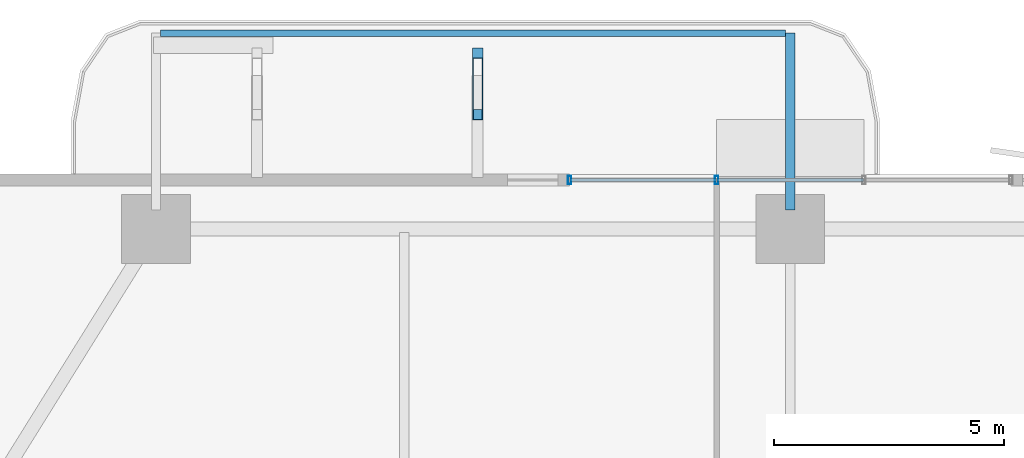
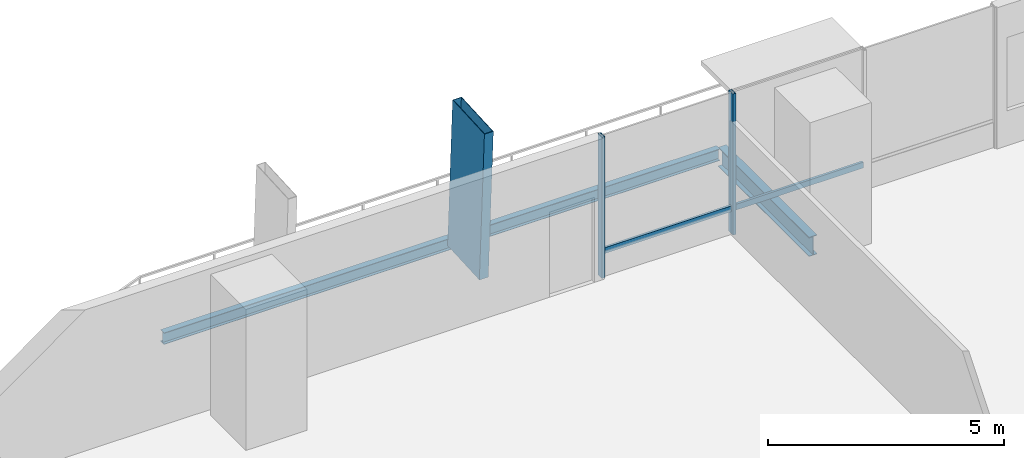
# One storey, part 11 of 23: 5 members, 2 beams, 1 element without a shape of its own.
"""IFC4 building model written with IfcOpenShell, lengths in metres."""

from ifc_helpers import new_model, si_unit, direction, frame, origin, origin_2d, place, context, subcontext, project, spatial, hollow_rectangle, i_section, extrude, material, layer, layer_set, material_profile, profile_set, type_object, element, aggregate, save


model = new_model("IFC4")

# Units and contexts
model_context = context("Model", 3, precision=1e-05, world=origin(), true_north=direction((0.0, 1.0)))
body_context = subcontext(model_context, "Body", "Model", "MODEL_VIEW")
ifc_project = project(units=[si_unit("LENGTHUNIT", "METRE"), si_unit("AREAUNIT", "SQUARE_METRE"), si_unit("VOLUMEUNIT", "CUBIC_METRE"), si_unit("PLANEANGLEUNIT", "RADIAN"), si_unit("MASSUNIT", "GRAM", prefix="KILO")], contexts=[model_context])

# Site, building, storey
site_placement = place(None, origin())
site = spatial("IfcSite", under=ifc_project, at=site_placement, CompositionType="ELEMENT")
building_placement = place(site_placement, origin())
building = spatial("IfcBuilding", under=site, at=building_placement, Name="Belovzor Exchange Tower", CompositionType="ELEMENT")
storey_placement = place(building_placement, frame((0.0, 0.0, 57.300048828125)))
storey = spatial("IfcBuildingStorey", under=building, at=storey_placement, Name="L13", CompositionType="ELEMENT", Elevation=57.300048828125)

# Member
ifc_material_1 = material(Name="Extruded Architectural Terracotta on Steel S355 Carrier", Category="masonry")
ifc_material_profile_1 = material_profile(ifc_material_1, hollow_rectangle(XDim=0.219970703125, YDim=1.35009765625, WallThickness=0.013916015625, at=origin_2d()))
ifc_profile_set_1 = profile_set([ifc_material_profile_1], Name="Extruded Architectural Terracotta on Steel S355 Carrier")
member_type_1 = type_object("IfcMemberType", Name="Base Arc Sweeping Terracotta Pylon Fin 1450", PredefinedType="USERDEFINED", material=ifc_profile_set_1)
member_1_placement = place(storey_placement, frame((22.0, 58.762939453125, -0.25), z_axis=(0.0, -0.054756839471, 0.998499718844), x_axis=(1.0, 0.0, 0.0)))
element("IfcMember", 1, at=member_1_placement, inside=storey, type_object=member_type_1, Name="FIN-TC145 Terracotta Facade Fin L13 N2", ObjectType="FIN", PredefinedType="USERDEFINED", context=body_context, shape_type="SweptSolid", body=[
    extrude(hollow_rectangle(XDim=0.219970703125, YDim=1.35009765625, WallThickness=0.013916015625, at=origin_2d()), origin(), (0.0, 0.0, 1.0), 3.90576171875),
])

# Beams
ifc_material_2 = material(Name="Steel S355", Category="steel")
ifc_material_profile_2 = material_profile(ifc_material_2, i_section(OverallWidth=0.199951171875, OverallDepth=0.5, WebThickness=0.01025390625, FlangeThickness=0.01611328125, at=origin_2d()))
ifc_profile_set_2 = profile_set([ifc_material_profile_2], Name="Steel S355")
beam_type_1 = type_object("IfcBeamType", Name="Planted Balcony Cantilever Beam IPE 500", PredefinedType="BEAM", material=ifc_profile_set_2)
beam_1_placement = place(storey_placement, frame((28.800048828125, 55.9130859375, -0.5), z_axis=(0.0, 1.0, 0.0), x_axis=(-1.0, 0.0, 0.0)))
element("IfcBeam", 2, at=beam_1_placement, inside=storey, type_object=beam_type_1, Name="BC-500 Planted Balcony Cantilever Beam IPE 500", PredefinedType="BEAM", context=body_context, shape_type="SweptSolid", body=[
    extrude(i_section(OverallWidth=0.199951171875, OverallDepth=0.5, WebThickness=0.01025390625, FlangeThickness=0.01611328125, at=origin_2d()), origin(), (0.0, 0.0, 1.0), 3.849853515625),
])
ifc_material_3 = material(Name="Steel S355", Category="steel")
ifc_material_profile_3 = material_profile(ifc_material_3, i_section(OverallWidth=0.14990234375, OverallDepth=0.300048828125, WebThickness=0.007080078125, FlangeThickness=0.0107421875, at=origin_2d()))
ifc_profile_set_3 = profile_set([ifc_material_profile_3], Name="Steel S355")
beam_type_2 = type_object("IfcBeamType", Name="Planted Balcony Fascia Edge Beam IPE 300", PredefinedType="BEAM", material=ifc_profile_set_3)
beam_2_placement = place(storey_placement, frame((28.699951171875, 59.762939453125, -0.400146484375), z_axis=(-1.0, 0.0, 0.0), x_axis=(0.0, -1.0, 0.0)))
element("IfcBeam", 3, at=beam_2_placement, inside=storey, type_object=beam_type_2, Name="BC-300 Planted Balcony Fascia Edge Beam IPE 300", PredefinedType="BEAM", context=body_context, shape_type="SweptSolid", body=[
    extrude(i_section(OverallWidth=0.14990234375, OverallDepth=0.300048828125, WebThickness=0.007080078125, FlangeThickness=0.0107421875, at=origin_2d()), origin(), (0.0, 0.0, 1.0), 13.599853515625),
])

# Curtain wall, members
ifc_material_4 = material(Name="Anodised Aluminium Framing", Category="aluminium")
ifc_layer = layer(ifc_material_4, 0.179931640625)
ifc_layer_set = layer_set([ifc_layer], Name="Anodised Aluminium Framing")
curtain_wall_type = type_object("IfcCurtainWallType", Name="Recessed Loggia Low-Iron Triple-Glazed Curtain Wall", PredefinedType="NOTDEFINED", material=ifc_layer_set)
curtain_wall_placement = place(storey_placement, origin())
curtain_wall = element("IfcCurtainWall", 4, at=curtain_wall_placement, inside=storey, type_object=curtain_wall_type, Name="CW3 Recessed Loggia Low-Iron Triple-Glazed Curtain Wall L13", PredefinedType="NOTDEFINED")
ifc_material_5 = material(Name="Steel S355", Category="steel")
ifc_material_profile_4 = material_profile(ifc_material_5, hollow_rectangle(XDim=0.074951171875, YDim=0.179931640625, WallThickness=0.0048828125, at=origin_2d()))
ifc_profile_set_4 = profile_set([ifc_material_profile_4], Name="Steel S355")
member_type_2 = type_object("IfcMemberType", Name="Thermally Broken Curtain Wall Mullion 180x75", PredefinedType="MULLION", material=ifc_profile_set_4)
member_2_placement = place(storey_placement, frame((24.0, 56.570068359375, 0.0), z_axis=(0.0, 0.0, 1.0), x_axis=(1.0, 0.0, 0.0)))
member_2 = element("IfcMember", 5, at=member_2_placement, type_object=member_type_2, Name="CW-M180 Curtain Wall Mullion 1", PredefinedType="MULLION", context=body_context, shape_type="SweptSolid", body=[
    extrude(hollow_rectangle(XDim=0.074951171875, YDim=0.179931640625, WallThickness=0.0048828125, at=origin_2d()), origin(), (0.0, 0.0, 1.0), 3.64990234375),
])
member_3_placement = place(storey_placement, frame((27.199951171875, 56.570068359375, 0.0), z_axis=(0.0, 0.0, 1.0), x_axis=(1.0, 0.0, 0.0)))
member_3 = element("IfcMember", 6, at=member_3_placement, type_object=member_type_2, Name="CW-M180 Curtain Wall Mullion 2", PredefinedType="MULLION", context=body_context, shape_type="SweptSolid", body=[
    extrude(hollow_rectangle(XDim=0.074951171875, YDim=0.179931640625, WallThickness=0.0048828125, at=origin_2d()), origin(), (0.0, 0.0, 1.0), 3.64990234375),
])
ifc_material_6 = material(Name="Steel S355", Category="steel")
ifc_material_profile_5 = material_profile(ifc_material_6, hollow_rectangle(XDim=0.06005859375, YDim=0.14990234375, WallThickness=0.00390625, at=origin_2d()))
ifc_profile_set_5 = profile_set([ifc_material_profile_5], Name="Steel S355")
member_type_3 = type_object("IfcMemberType", Name="Thermally Broken Curtain Wall Transom 150x60", PredefinedType="USERDEFINED", material=ifc_profile_set_5)
member_4_placement = place(storey_placement, frame((24.008056640625, 56.570068359375, 0.64990234375), z_axis=(1.0, 0.0, 0.0), x_axis=(0.0, 1.0, 0.0)))
member_4 = element("IfcMember", 7, at=member_4_placement, type_object=member_type_3, Name="CW-T150 Curtain Wall Transom 1", ObjectType="TRANSOM", PredefinedType="USERDEFINED", context=body_context, shape_type="SweptSolid", body=[
    extrude(hollow_rectangle(XDim=0.06005859375, YDim=0.14990234375, WallThickness=0.00390625, at=origin_2d()), origin(), (0.0, 0.0, 1.0), 3.183837890625),
])
member_5_placement = place(storey_placement, frame((27.2080078125, 56.570068359375, 0.64990234375), z_axis=(1.0, 0.0, 0.0), x_axis=(0.0, 1.0, 0.0)))
member_5 = element("IfcMember", 8, at=member_5_placement, type_object=member_type_3, Name="CW-T150 Curtain Wall Transom 2", ObjectType="TRANSOM", PredefinedType="USERDEFINED", context=body_context, shape_type="SweptSolid", body=[
    extrude(hollow_rectangle(XDim=0.06005859375, YDim=0.14990234375, WallThickness=0.00390625, at=origin_2d()), origin(), (0.0, 0.0, 1.0), 3.18408203125),
])
aggregate(curtain_wall, [member_2, member_3, member_4, member_5])

save(model, "model.ifc")
